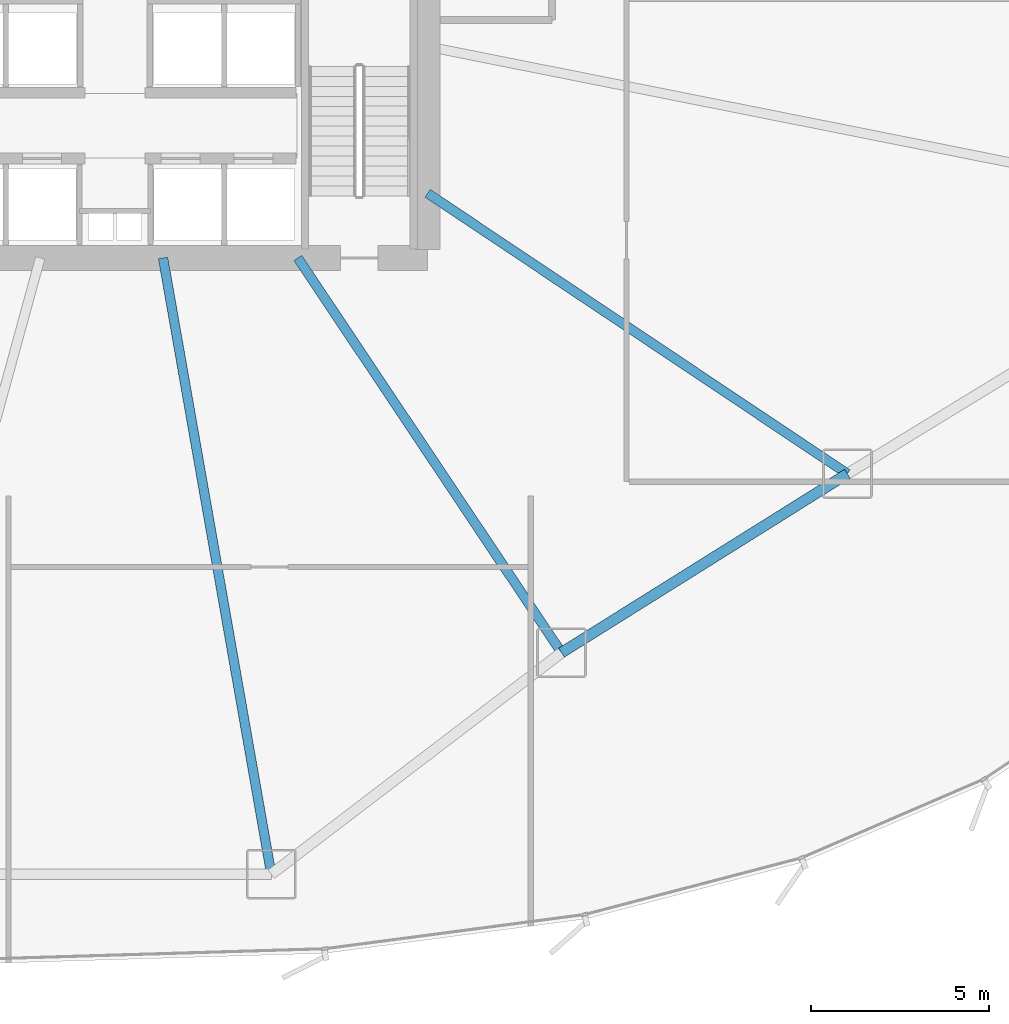
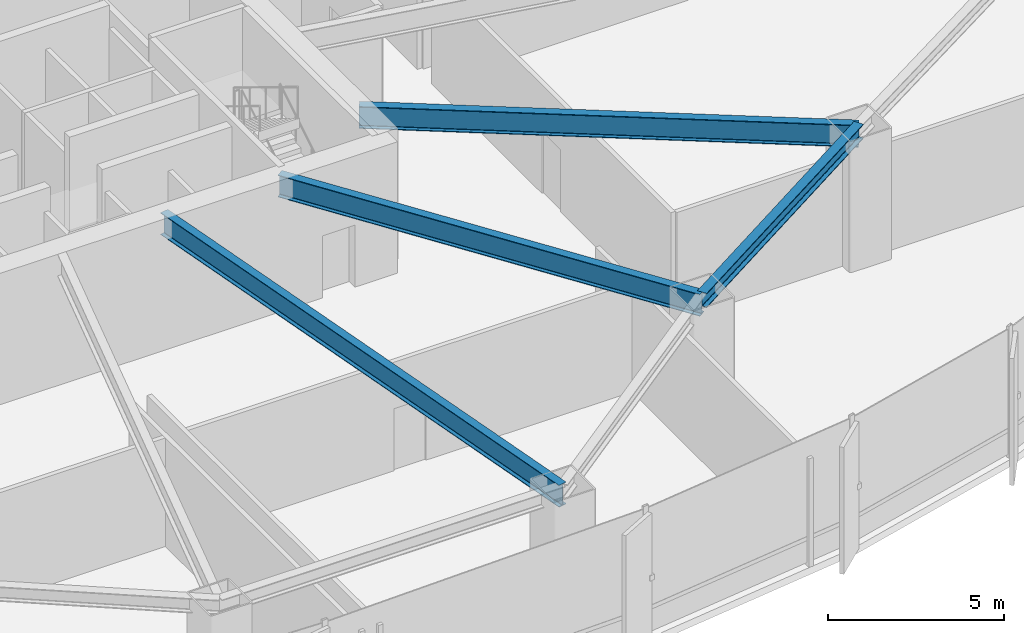
# One storey, part 9 of 34: 4 beams.
"""IFC4 building model written with IfcOpenShell, lengths in metres."""

from ifc_helpers import new_model, si_unit, direction, frame, origin, origin_2d, place, context, subcontext, project, spatial, i_section, extrude, source, transform, mapped, material, material_profile, profile_set, type_object, element, save


model = new_model("IFC4")

# Units and contexts
model_context = context("Model", 3, precision=1e-05, world=origin(), true_north=direction((0.0, 1.0)))
body_context = subcontext(model_context, "Body", "Model", "MODEL_VIEW")
ifc_project = project(units=[si_unit("LENGTHUNIT", "METRE"), si_unit("AREAUNIT", "SQUARE_METRE"), si_unit("VOLUMEUNIT", "CUBIC_METRE"), si_unit("PLANEANGLEUNIT", "RADIAN"), si_unit("MASSUNIT", "GRAM", prefix="KILO"), si_unit("THERMODYNAMICTEMPERATUREUNIT", "KELVIN")], contexts=[model_context])

# Site, building, storey
site_placement = place(None, origin())
site = spatial("IfcSite", under=ifc_project, at=site_placement, CompositionType="ELEMENT")
building_placement = place(site_placement, origin())
building = spatial("IfcBuilding", under=site, at=building_placement, Name="Kethvar Cultural Tower", CompositionType="ELEMENT")
storey_placement = place(building_placement, frame((0.0, 0.0, 5.199951171875)))
storey = spatial("IfcBuildingStorey", under=building, at=storey_placement, Name="L01", CompositionType="ELEMENT", Elevation=5.199951171875)

# Beams
ifc_material = material(Name="Steel S355J2", Category="steel")
ifc_material_profile_1 = material_profile(ifc_material, i_section(OverallWidth=0.300048828125, OverallDepth=0.5, WebThickness=0.014404296875, FlangeThickness=0.028076171875, FilletRadius=0.027099609375, at=origin_2d()), Name="Steel S355J2 — HEB500")
ifc_profile_set_1 = profile_set([ifc_material_profile_1], Name="Steel S355J2 — HEB500")
beam_type_1 = type_object("IfcBeamType", Name="BM-SP500", PredefinedType="SPANDREL", material=ifc_profile_set_1)
shared_shape_1 = source(origin(), body_context, "Body", "SweptSolid", [
    extrude(i_section(OverallWidth=0.300048828125, OverallDepth=0.5, WebThickness=0.014404296875, FlangeThickness=0.028076171875, FilletRadius=0.027099609375, at=origin_2d()), origin(), (0.0, 0.0, 1.0), 9.493896484375),
])
beam_1_placement = place(storey_placement, frame((59.370361328125, 8.987060546875, 4.298095703125), z_axis=(0.847710685997, 0.530458851228, 0.0), x_axis=(-0.530458851228, 0.847710685997, 0.0)))
element("IfcBeam", 1, at=beam_1_placement, inside=storey, type_object=beam_type_1, Name="L01 Podium Ring Beam 14", PredefinedType="SPANDREL", context=body_context, shape_type="MappedRepresentation", body=[
    mapped(shared_shape_1, transform((0.0, 0.0, 0.0), scale=1.0)),
])
ifc_material_profile_2 = material_profile(ifc_material, i_section(OverallWidth=0.26708984375, OverallDepth=0.761962890625, WebThickness=0.014404296875, FlangeThickness=0.021484375, FilletRadius=0.01708984375, at=origin_2d()), Name="Steel S355J2 — IPE750x173")
ifc_profile_set_2 = profile_set([ifc_material_profile_2], Name="Steel S355J2 — IPE750x173")
beam_type_2 = type_object("IfcBeamType", Name="BM-IPE750", PredefinedType="BEAM", material=ifc_profile_set_2)
shared_shape_2 = source(origin(), body_context, "Body", "SweptSolid", [
    extrude(i_section(OverallWidth=0.26708984375, OverallDepth=0.761962890625, WebThickness=0.014404296875, FlangeThickness=0.021484375, FilletRadius=0.01708984375, at=origin_2d()), origin(), (0.0, 0.0, 1.0), 17.61572265625),
])
beam_2_placement = place(storey_placement, frame((48.152587890625, 20.10009765625, 4.1669921875), z_axis=(0.172991485085, -0.984923319903, 0.0), x_axis=(0.984923319903, 0.172991485085, 0.0)))
element("IfcBeam", 2, at=beam_2_placement, inside=storey, type_object=beam_type_2, Name="L01 Podium Radial Girder 13", PredefinedType="BEAM", context=body_context, shape_type="MappedRepresentation", body=[
    mapped(shared_shape_2, transform((0.0, 0.0, 0.0), scale=1.0)),
])
shared_shape_3 = source(origin(), body_context, "Body", "SweptSolid", [
    extrude(i_section(OverallWidth=0.26708984375, OverallDepth=0.761962890625, WebThickness=0.014404296875, FlangeThickness=0.021484375, FilletRadius=0.01708984375, at=origin_2d()), origin(), (0.0, 0.0, 1.0), 13.365478515625),
])
beam_3_placement = place(storey_placement, frame((51.945068359375, 20.10009765625, 4.1669921875), z_axis=(0.555559834465, -0.831476560301, 0.0), x_axis=(0.831476560301, 0.555559834465, 0.0)))
element("IfcBeam", 3, at=beam_3_placement, inside=storey, type_object=beam_type_2, Name="L01 Podium Radial Girder 14", PredefinedType="BEAM", context=body_context, shape_type="MappedRepresentation", body=[
    mapped(shared_shape_3, transform((0.0, 0.0, 0.0), scale=1.0)),
])
shared_shape_4 = source(origin(), body_context, "Body", "SweptSolid", [
    extrude(i_section(OverallWidth=0.26708984375, OverallDepth=0.761962890625, WebThickness=0.014404296875, FlangeThickness=0.021484375, FilletRadius=0.01708984375, at=origin_2d()), origin(), (0.0, 0.0, 1.0), 14.2138671875),
])
beam_4_placement = place(storey_placement, frame((55.60009765625, 21.920166015625, 4.1669921875), z_axis=(0.831463197362, -0.555579833537, 0.0), x_axis=(0.555579833537, 0.831463197362, 0.0)))
element("IfcBeam", 4, at=beam_4_placement, inside=storey, type_object=beam_type_2, Name="L01 Podium Radial Girder 15", PredefinedType="BEAM", context=body_context, shape_type="MappedRepresentation", body=[
    mapped(shared_shape_4, transform((0.0, 0.0, 0.0), scale=1.0)),
])

save(model, "model.ifc")
